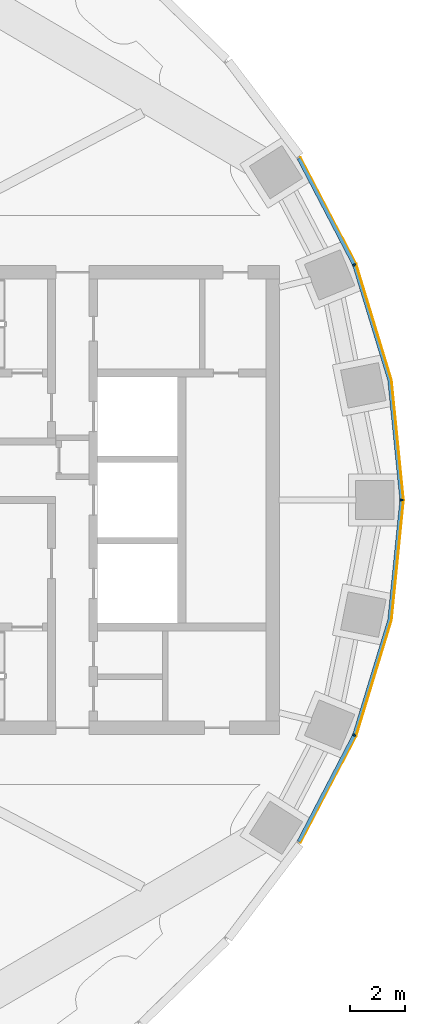
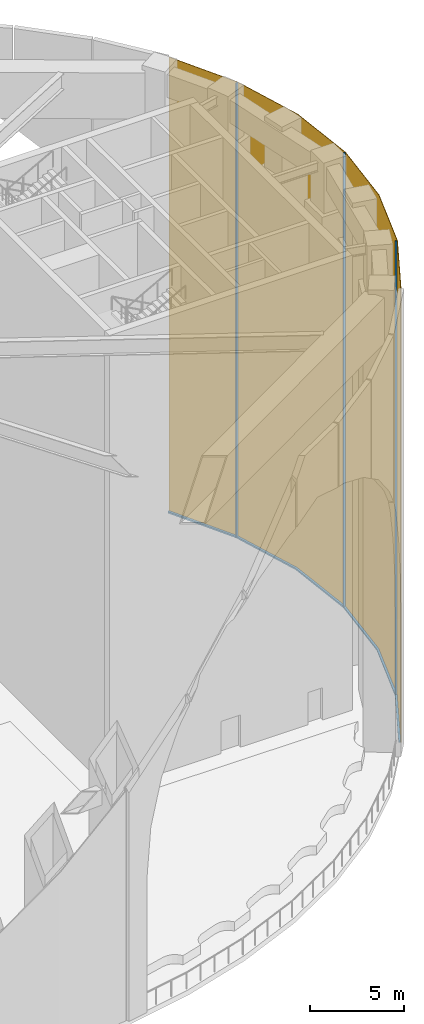
# One storey, part 13 of 26: 7 members, 1 curtain wall.
"""IFC4 building model written with IfcOpenShell, lengths in metres."""

from ifc_helpers import new_model, si_unit, direction, frame, origin, origin_2d, place, context, subcontext, project, spatial, polyline, rectangle, outline, extrude, material, layer, layer_set, material_profile, profile_set, type_object, element, aggregate, save


model = new_model("IFC4")

# Units and contexts
model_context = context("Model", 3, precision=1e-05, world=origin(), true_north=direction((0.0, 1.0)))
body_context = subcontext(model_context, "Body", "Model", "MODEL_VIEW")
ifc_project = project(units=[si_unit("LENGTHUNIT", "METRE"), si_unit("AREAUNIT", "SQUARE_METRE"), si_unit("VOLUMEUNIT", "CUBIC_METRE"), si_unit("PLANEANGLEUNIT", "RADIAN"), si_unit("MASSUNIT", "GRAM", prefix="KILO")], contexts=[model_context])

# Member
ifc_material_1 = material(Name="Aluminium 6063-T6 black anodised", Category="aluminium")
ifc_material_profile = material_profile(ifc_material_1, rectangle(XDim=0.1201171875, YDim=0.06005859375, at=origin_2d()), Name="120x60")
ifc_profile_set = profile_set([ifc_material_profile], Name="Aluminium 6063-T6 black anodised")
member_type_1 = type_object("IfcMemberType", Name="ENV-MULLION-A-120", PredefinedType="MULLION", material=ifc_profile_set)
site_placement = place(None, origin())
building_placement = place(site_placement, origin())
storey_placement = place(building_placement, frame((0.0, 0.0, 203.5)))
member_1_placement = place(storey_placement, frame((34.19580078125, -8.513916015625, 0.0), z_axis=(0.0, 0.0, 1.0), x_axis=(-0.92546738067, 0.378827305398, 0.0)))
member_1 = element("IfcMember", 1, at=member_1_placement, type_object=member_type_1, Name="Mullion A radial 45", PredefinedType="MULLION", context=body_context, shape_type="SweptSolid", body=[
    extrude(rectangle(XDim=0.1201171875, YDim=0.06005859375, at=origin_2d()), origin(), (0.0, 0.0, 1.0), 29.699951171875),
])

member_2_placement = place(storey_placement, frame((35.907958984375, 0.0, 0.0), z_axis=(0.0, 0.0, 1.0), x_axis=(-1.0, 0.0, 0.0)))
member_2 = element("IfcMember", 2, at=member_2_placement, type_object=member_type_1, Name="Mullion A radial 01", PredefinedType="MULLION", context=body_context, shape_type="SweptSolid", body=[
    extrude(rectangle(XDim=0.1201171875, YDim=0.06005859375, at=origin_2d()), origin(), (0.0, 0.0, 1.0), 29.699951171875),
])

member_3_placement = place(storey_placement, frame((34.19580078125, 8.513916015625, 0.0), z_axis=(0.0, 0.0, 1.0), x_axis=(-0.92546738067, -0.378827305398, 0.0)))
member_3 = element("IfcMember", 3, at=member_3_placement, type_object=member_type_1, Name="Mullion A radial 03", PredefinedType="MULLION", context=body_context, shape_type="SweptSolid", body=[
    extrude(rectangle(XDim=0.1201171875, YDim=0.06005859375, at=origin_2d()), origin(), (0.0, 0.0, 1.0), 29.699951171875),
])

ifc_material_2 = material(Name="Aluminium 6063-T6 black anodised", Category="aluminium")
member_type_2 = type_object("IfcMemberType", Name="ENV-TRANSOM-A", PredefinedType="USERDEFINED", material=ifc_material_2)
member_4_placement = place(storey_placement, origin())
member_4 = element("IfcMember", 4, at=member_4_placement, type_object=member_type_2, Name="Transom A radial 44-45", ObjectType="TRANSOM", PredefinedType="USERDEFINED", context=body_context, shape_type="SweptSolid", body=[
    extrude(outline(polyline([(32.2373046875, -12.39990234375), (34.23828125, -8.5615234375), (34.126708984375, -8.515869140625), (32.135498046875, -12.33544921875), (32.2373046875, -12.39990234375)])), origin(), (0.0, 0.0, 1.0), 0.10009765625),
])

member_5_placement = place(storey_placement, origin())
member_5 = element("IfcMember", 5, at=member_5_placement, type_object=member_type_2, Name="Transom A radial 45-01", ObjectType="TRANSOM", PredefinedType="USERDEFINED", context=body_context, shape_type="SweptSolid", body=[
    extrude(outline(polyline([(34.259521484375, -8.509765625), (35.529541015625, -4.352294921875), (35.965087890625, -0.02783203125), (35.844482421875, -0.02783203125), (35.411376953125, -4.32861328125), (34.14794921875, -8.464111328125), (34.259521484375, -8.509765625)])), origin(), (0.0, 0.0, 1.0), 0.10009765625),
])

member_6_placement = place(storey_placement, origin())
member_6 = element("IfcMember", 6, at=member_6_placement, type_object=member_type_2, Name="Transom A radial 01-03", ObjectType="TRANSOM", PredefinedType="USERDEFINED", context=body_context, shape_type="SweptSolid", body=[
    extrude(outline(polyline([(35.965087890625, 0.02783203125), (35.529541015625, 4.352294921875), (34.259521484375, 8.509765625), (34.14794921875, 8.464111328125), (35.411376953125, 4.32861328125), (35.844482421875, 0.02783203125), (35.965087890625, 0.02783203125)])), origin(), (0.0, 0.0, 1.0), 0.10009765625),
])

member_7_placement = place(storey_placement, origin())
member_7 = element("IfcMember", 7, at=member_7_placement, type_object=member_type_2, Name="Transom A radial 03-04", ObjectType="TRANSOM", PredefinedType="USERDEFINED", context=body_context, shape_type="SweptSolid", body=[
    extrude(outline(polyline([(34.23828125, 8.5615234375), (32.2373046875, 12.39990234375), (32.135498046875, 12.33544921875), (34.126708984375, 8.515869140625), (34.23828125, 8.5615234375)])), origin(), (0.0, 0.0, 1.0), 0.10009765625),
])

# Site, building, storey
site = spatial("IfcSite", under=ifc_project, at=site_placement, CompositionType="ELEMENT")
building = spatial("IfcBuilding", under=site, at=building_placement, Name="Noorbagh Ring Tower", CompositionType="ELEMENT")
storey = spatial("IfcBuildingStorey", under=building, at=storey_placement, Name="L47", CompositionType="ELEMENT", Elevation=203.5)

# Curtain wall
ifc_material_3 = material(Name="Glass dark tinted laminated", Category="glass")
ifc_layer = layer(ifc_material_3, 0.031982421875)
ifc_layer_set = layer_set([ifc_layer], Name="Glass dark tinted laminated")
curtain_wall_type = type_object("IfcCurtainWallType", Name="ENV-CW-A", PredefinedType="NOTDEFINED", material=ifc_layer_set)
curtain_wall_placement = place(storey_placement, origin())
curtain_wall = element("IfcCurtainWall", 8, at=curtain_wall_placement, inside=storey, type_object=curtain_wall_type, Name="Curtain wall A R44", PredefinedType="NOTDEFINED", context=body_context, shape_type="SweptSolid", body=[
    extrude(outline(polyline([(32.264404296875, -12.4169921875), (34.281005859375, -8.548828125), (35.561279296875, -4.358642578125), (36.0, 0.0), (35.561279296875, 4.358642578125), (34.281005859375, 8.548828125), (32.264404296875, 12.4169921875), (32.2373046875, 12.39990234375), (34.251220703125, 8.53662109375), (35.529541015625, 4.352294921875), (35.9677734375, 0.0), (35.529541015625, -4.352294921875), (34.251220703125, -8.53662109375), (32.2373046875, -12.39990234375), (32.264404296875, -12.4169921875)])), origin(), (0.0, 0.0, 1.0), 29.699951171875),
])

aggregate(curtain_wall, [member_1, member_2, member_3, member_4, member_5, member_6, member_7])

save(model, "model.ifc")
